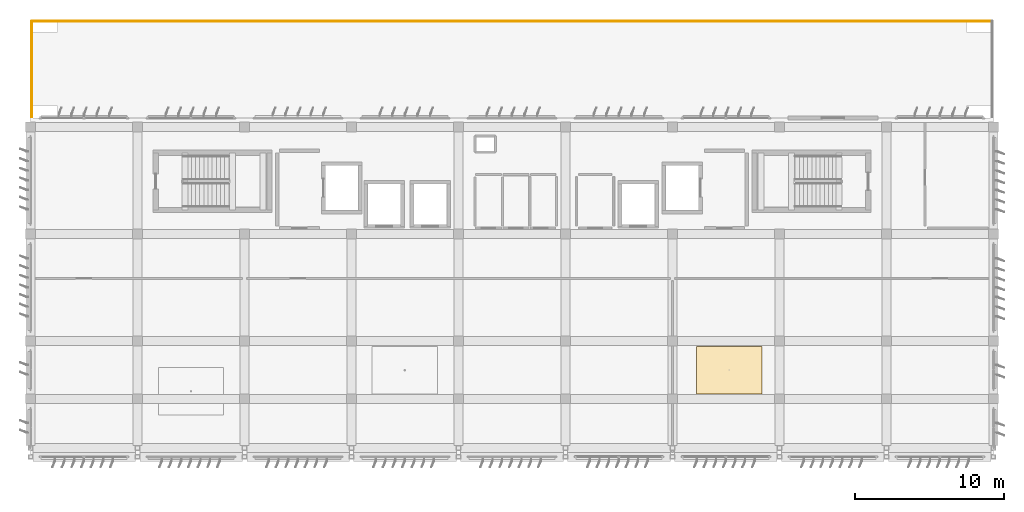
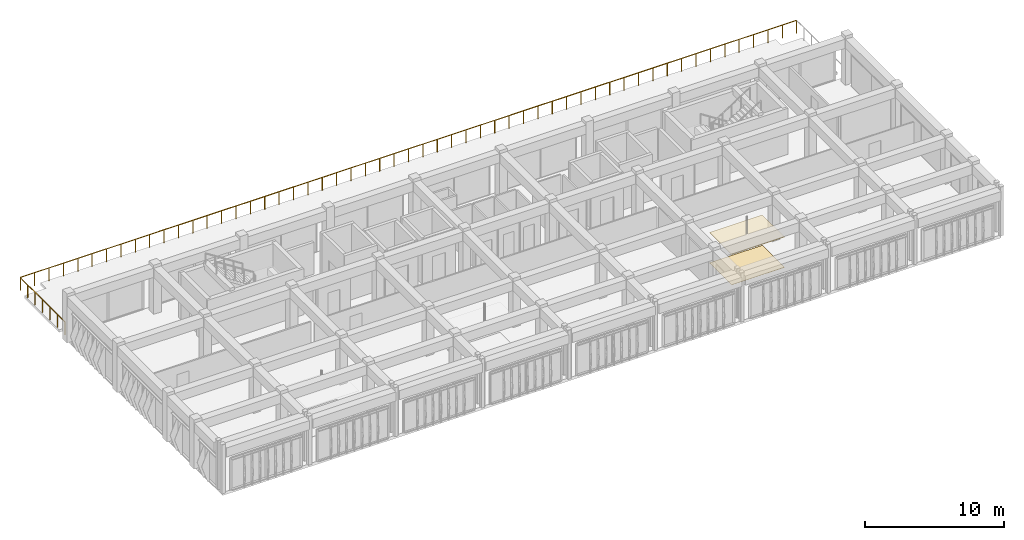
# One storey, part 41 of 42: 2 coverings, 2 railings.
"""IFC4 building model written with IfcOpenShell, lengths in metres."""

from ifc_helpers import new_model, si_unit, direction, frame, origin, origin_2d, place, context, subcontext, project, spatial, rectangle, circle, extrude, material, layer, layer_set, type_object, element, save


model = new_model("IFC4")

# Units and contexts
model_context = context("Model", 3, precision=1e-05, world=origin(), true_north=direction((0.0, 1.0)))
body_context = subcontext(model_context, "Body", "Model", "MODEL_VIEW")
ifc_project = project(units=[si_unit("LENGTHUNIT", "METRE"), si_unit("AREAUNIT", "SQUARE_METRE"), si_unit("VOLUMEUNIT", "CUBIC_METRE"), si_unit("PLANEANGLEUNIT", "RADIAN"), si_unit("MASSUNIT", "GRAM", prefix="KILO")], contexts=[model_context])

# Site, building, storey
site_placement = place(None, origin())
site = spatial("IfcSite", under=ifc_project, at=site_placement, CompositionType="ELEMENT")
building_placement = place(site_placement, origin())
building = spatial("IfcBuilding", under=site, at=building_placement, Name="Kazehaya Institute of Natural Sciences", CompositionType="ELEMENT")
storey_placement = place(building_placement, frame((0.0, 0.0, 37.6201171875)))
storey = spatial("IfcBuildingStorey", under=building, at=storey_placement, Name="L08", CompositionType="ELEMENT", Elevation=37.6201171875)

# Coverings
ifc_material_1 = material(Name="Mineral-fibre acoustic ceiling tile")
ifc_layer_1 = layer(ifc_material_1, 0.02490234375, Name="Mineral-fibre acoustic ceiling tile")
ifc_layer_set_1 = layer_set([ifc_layer_1], Name="Mineral-fibre acoustic ceiling tile")
covering_type_1 = type_object("IfcCoveringType", Name="COV-CEIL-AC", PredefinedType="CEILING", material=ifc_layer_set_1)
covering_1_placement = place(storey_placement, frame((101.626220703125, 12.03857421875, 2.66748046875), z_axis=(0.0, 0.0, 1.0), x_axis=(1.0, 0.0, 0.0)))
element("IfcCovering", 1, at=covering_1_placement, inside=storey, type_object=covering_type_1, Name="L08 Senior Fellow Write-up Office ceiling 71", PredefinedType="CEILING", context=body_context, shape_type="SweptSolid", body=[
    extrude(rectangle(XDim=4.39990234375, YDim=3.199951171875, at=origin_2d()), origin(), (0.0, 0.0, 1.0), 0.02490234375),
])
ifc_material_2 = material(Name="Polished Sawara stone terrazzo flooring", Category="masonry")
ifc_layer_2 = layer(ifc_material_2, 0.02001953125, Name="Polished Sawara stone terrazzo flooring", Category="masonry")
ifc_layer_set_2 = layer_set([ifc_layer_2], Name="Polished Sawara stone terrazzo flooring")
covering_type_2 = type_object("IfcCoveringType", Name="COV-FLR-TRZ", PredefinedType="FLOORING", material=ifc_layer_set_2)
covering_2_placement = place(storey_placement, frame((101.626220703125, 12.03857421875, -0.000244140625), z_axis=(0.0, 0.0, 1.0), x_axis=(1.0, 0.0, 0.0)))
element("IfcCovering", 2, at=covering_2_placement, inside=storey, type_object=covering_type_2, Name="L08 Senior Fellow Write-up Office finish flooring 71", PredefinedType="FLOORING", context=body_context, shape_type="SweptSolid", body=[
    extrude(rectangle(XDim=4.39990234375, YDim=3.199951171875, at=origin_2d()), origin(), (0.0, 0.0, 1.0), 0.02001953125),
])

# Railings
ifc_material_3 = material(Name="Precast limestone and bronze balustrade", Category="masonry")
railing_type = type_object("IfcRailingType", Name="RL-GUARD-TER", PredefinedType="BALUSTRADE", material=ifc_material_3)
railing_1_placement = place(storey_placement, frame((119.320068359375, 35.52001953125, 0.0)))
element("IfcRailing", 3, at=railing_1_placement, inside=storey, type_object=railing_type, Name="L08 terrace balustrade GRD-L08-025", PredefinedType="BALUSTRADE", context=body_context, shape_type="SweptSolid", body=[
    extrude(circle(Radius=0.02392578125, at=origin_2d()), frame((0.0, 0.0, 1.1259765625), z_axis=(-1.0, 0.0, 0.0), x_axis=(0.0, -1.0, 0.0)), (0.0, 0.0, 1.0), 64.64013671875),
    extrude(circle(Radius=0.02099609375, at=origin_2d()), origin(), (0.0, 0.0, 1.0), 1.101806640625),
    extrude(circle(Radius=0.02099609375, at=origin_2d()), frame((-1.197021484375, 0.0, 0.0)), (0.0, 0.0, 1.0), 1.101806640625),
    extrude(circle(Radius=0.02099609375, at=origin_2d()), frame((-2.39404296875, 0.0, 0.0)), (0.0, 0.0, 1.0), 1.101806640625),
    extrude(circle(Radius=0.02099609375, at=origin_2d()), frame((-3.591064453125, 0.0, 0.0)), (0.0, 0.0, 1.0), 1.101806640625),
    extrude(circle(Radius=0.02099609375, at=origin_2d()), frame((-4.7880859375, 0.0, 0.0)), (0.0, 0.0, 1.0), 1.101806640625),
    extrude(circle(Radius=0.02099609375, at=origin_2d()), frame((-5.985107421875, 0.0, 0.0)), (0.0, 0.0, 1.0), 1.101806640625),
    extrude(circle(Radius=0.02099609375, at=origin_2d()), frame((-7.18212890625, 0.0, 0.0)), (0.0, 0.0, 1.0), 1.101806640625),
    extrude(circle(Radius=0.02099609375, at=origin_2d()), frame((-8.37939453125, 0.0, 0.0)), (0.0, 0.0, 1.0), 1.101806640625),
    extrude(circle(Radius=0.02099609375, at=origin_2d()), frame((-9.576416015625, 0.0, 0.0)), (0.0, 0.0, 1.0), 1.101806640625),
    extrude(circle(Radius=0.02099609375, at=origin_2d()), frame((-10.7734375, 0.0, 0.0)), (0.0, 0.0, 1.0), 1.101806640625),
    extrude(circle(Radius=0.02099609375, at=origin_2d()), frame((-11.970458984375, 0.0, 0.0)), (0.0, 0.0, 1.0), 1.101806640625),
    extrude(circle(Radius=0.02099609375, at=origin_2d()), frame((-13.16748046875, 0.0, 0.0)), (0.0, 0.0, 1.0), 1.101806640625),
    extrude(circle(Radius=0.02099609375, at=origin_2d()), frame((-14.364501953125, 0.0, 0.0)), (0.0, 0.0, 1.0), 1.101806640625),
    extrude(circle(Radius=0.02099609375, at=origin_2d()), frame((-15.5615234375, 0.0, 0.0)), (0.0, 0.0, 1.0), 1.101806640625),
    extrude(circle(Radius=0.02099609375, at=origin_2d()), frame((-16.758544921875, 0.0, 0.0)), (0.0, 0.0, 1.0), 1.101806640625),
    extrude(circle(Radius=0.02099609375, at=origin_2d()), frame((-17.95556640625, 0.0, 0.0)), (0.0, 0.0, 1.0), 1.101806640625),
    extrude(circle(Radius=0.02099609375, at=origin_2d()), frame((-19.152587890625, 0.0, 0.0)), (0.0, 0.0, 1.0), 1.101806640625),
    extrude(circle(Radius=0.02099609375, at=origin_2d()), frame((-20.349609375, 0.0, 0.0)), (0.0, 0.0, 1.0), 1.101806640625),
    extrude(circle(Radius=0.02099609375, at=origin_2d()), frame((-21.546630859375, 0.0, 0.0)), (0.0, 0.0, 1.0), 1.101806640625),
    extrude(circle(Radius=0.02099609375, at=origin_2d()), frame((-22.74365234375, 0.0, 0.0)), (0.0, 0.0, 1.0), 1.101806640625),
    extrude(circle(Radius=0.02099609375, at=origin_2d()), frame((-23.940673828125, 0.0, 0.0)), (0.0, 0.0, 1.0), 1.101806640625),
    extrude(circle(Radius=0.02099609375, at=origin_2d()), frame((-25.137939453125, 0.0, 0.0)), (0.0, 0.0, 1.0), 1.101806640625),
    extrude(circle(Radius=0.02099609375, at=origin_2d()), frame((-26.3349609375, 0.0, 0.0)), (0.0, 0.0, 1.0), 1.101806640625),
    extrude(circle(Radius=0.02099609375, at=origin_2d()), frame((-27.531982421875, 0.0, 0.0)), (0.0, 0.0, 1.0), 1.101806640625),
    extrude(circle(Radius=0.02099609375, at=origin_2d()), frame((-28.72900390625, 0.0, 0.0)), (0.0, 0.0, 1.0), 1.101806640625),
    extrude(circle(Radius=0.02099609375, at=origin_2d()), frame((-29.926025390625, 0.0, 0.0)), (0.0, 0.0, 1.0), 1.101806640625),
    extrude(circle(Radius=0.02099609375, at=origin_2d()), frame((-31.123046875, 0.0, 0.0)), (0.0, 0.0, 1.0), 1.101806640625),
    extrude(circle(Radius=0.02099609375, at=origin_2d()), frame((-32.320068359375, 0.0, 0.0)), (0.0, 0.0, 1.0), 1.101806640625),
    extrude(circle(Radius=0.02099609375, at=origin_2d()), frame((-33.51708984375, 0.0, 0.0)), (0.0, 0.0, 1.0), 1.101806640625),
    extrude(circle(Radius=0.02099609375, at=origin_2d()), frame((-34.714111328125, 0.0, 0.0)), (0.0, 0.0, 1.0), 1.101806640625),
    extrude(circle(Radius=0.02099609375, at=origin_2d()), frame((-35.9111328125, 0.0, 0.0)), (0.0, 0.0, 1.0), 1.101806640625),
    extrude(circle(Radius=0.02099609375, at=origin_2d()), frame((-37.108154296875, 0.0, 0.0)), (0.0, 0.0, 1.0), 1.101806640625),
    extrude(circle(Radius=0.02099609375, at=origin_2d()), frame((-38.30517578125, 0.0, 0.0)), (0.0, 0.0, 1.0), 1.101806640625),
    extrude(circle(Radius=0.02099609375, at=origin_2d()), frame((-39.502197265625, 0.0, 0.0)), (0.0, 0.0, 1.0), 1.101806640625),
    extrude(circle(Radius=0.02099609375, at=origin_2d()), frame((-40.699462890625, 0.0, 0.0)), (0.0, 0.0, 1.0), 1.101806640625),
    extrude(circle(Radius=0.02099609375, at=origin_2d()), frame((-41.896484375, 0.0, 0.0)), (0.0, 0.0, 1.0), 1.101806640625),
    extrude(circle(Radius=0.02099609375, at=origin_2d()), frame((-43.093505859375, 0.0, 0.0)), (0.0, 0.0, 1.0), 1.101806640625),
    extrude(circle(Radius=0.02099609375, at=origin_2d()), frame((-44.29052734375, 0.0, 0.0)), (0.0, 0.0, 1.0), 1.101806640625),
    extrude(circle(Radius=0.02099609375, at=origin_2d()), frame((-45.487548828125, 0.0, 0.0)), (0.0, 0.0, 1.0), 1.101806640625),
    extrude(circle(Radius=0.02099609375, at=origin_2d()), frame((-46.6845703125, 0.0, 0.0)), (0.0, 0.0, 1.0), 1.101806640625),
    extrude(circle(Radius=0.02099609375, at=origin_2d()), frame((-47.881591796875, 0.0, 0.0)), (0.0, 0.0, 1.0), 1.101806640625),
    extrude(circle(Radius=0.02099609375, at=origin_2d()), frame((-49.07861328125, 0.0, 0.0)), (0.0, 0.0, 1.0), 1.101806640625),
    extrude(circle(Radius=0.02099609375, at=origin_2d()), frame((-50.275634765625, 0.0, 0.0)), (0.0, 0.0, 1.0), 1.101806640625),
    extrude(circle(Radius=0.02099609375, at=origin_2d()), frame((-51.47265625, 0.0, 0.0)), (0.0, 0.0, 1.0), 1.101806640625),
    extrude(circle(Radius=0.02099609375, at=origin_2d()), frame((-52.669677734375, 0.0, 0.0)), (0.0, 0.0, 1.0), 1.101806640625),
    extrude(circle(Radius=0.02099609375, at=origin_2d()), frame((-53.86669921875, 0.0, 0.0)), (0.0, 0.0, 1.0), 1.101806640625),
    extrude(circle(Radius=0.02099609375, at=origin_2d()), frame((-55.063720703125, 0.0, 0.0)), (0.0, 0.0, 1.0), 1.101806640625),
    extrude(circle(Radius=0.02099609375, at=origin_2d()), frame((-56.2607421875, 0.0, 0.0)), (0.0, 0.0, 1.0), 1.101806640625),
    extrude(circle(Radius=0.02099609375, at=origin_2d()), frame((-57.4580078125, 0.0, 0.0)), (0.0, 0.0, 1.0), 1.101806640625),
    extrude(circle(Radius=0.02099609375, at=origin_2d()), frame((-58.655029296875, 0.0, 0.0)), (0.0, 0.0, 1.0), 1.101806640625),
    extrude(circle(Radius=0.02099609375, at=origin_2d()), frame((-59.85205078125, 0.0, 0.0)), (0.0, 0.0, 1.0), 1.101806640625),
    extrude(circle(Radius=0.02099609375, at=origin_2d()), frame((-61.049072265625, 0.0, 0.0)), (0.0, 0.0, 1.0), 1.101806640625),
    extrude(circle(Radius=0.02099609375, at=origin_2d()), frame((-62.24609375, 0.0, 0.0)), (0.0, 0.0, 1.0), 1.101806640625),
    extrude(circle(Radius=0.02099609375, at=origin_2d()), frame((-63.443115234375, 0.0, 0.0)), (0.0, 0.0, 1.0), 1.101806640625),
    extrude(circle(Radius=0.02099609375, at=origin_2d()), frame((-64.64013671875, 0.0, 0.0)), (0.0, 0.0, 1.0), 1.101806640625),
])
railing_2_placement = place(storey_placement, frame((54.679931640625, 35.52001953125, 0.0)))
element("IfcRailing", 4, at=railing_2_placement, inside=storey, type_object=railing_type, Name="L08 terrace balustrade GRD-L08-026", PredefinedType="BALUSTRADE", context=body_context, shape_type="SweptSolid", body=[
    extrude(circle(Radius=0.02392578125, at=origin_2d()), frame((0.0, 0.0, 1.1259765625), z_axis=(0.0, -1.0, 0.0), x_axis=(1.0, 0.0, 0.0)), (0.0, 0.0, 1.0), 6.43994140625),
    extrude(circle(Radius=0.02099609375, at=origin_2d()), origin(), (0.0, 0.0, 1.0), 1.101806640625),
    extrude(circle(Radius=0.02099609375, at=origin_2d()), frame((0.0, -1.0732421875, 0.0)), (0.0, 0.0, 1.0), 1.101806640625),
    extrude(circle(Radius=0.02099609375, at=origin_2d()), frame((0.0, -2.146728515625, 0.0)), (0.0, 0.0, 1.0), 1.101806640625),
    extrude(circle(Radius=0.02099609375, at=origin_2d()), frame((0.0, -3.219970703125, 0.0)), (0.0, 0.0, 1.0), 1.101806640625),
    extrude(circle(Radius=0.02099609375, at=origin_2d()), frame((0.0, -4.293212890625, 0.0)), (0.0, 0.0, 1.0), 1.101806640625),
    extrude(circle(Radius=0.02099609375, at=origin_2d()), frame((0.0, -5.36669921875, 0.0)), (0.0, 0.0, 1.0), 1.101806640625),
    extrude(circle(Radius=0.02099609375, at=origin_2d()), frame((0.0, -6.43994140625, 0.0)), (0.0, 0.0, 1.0), 1.101806640625),
])

save(model, "model.ifc")
